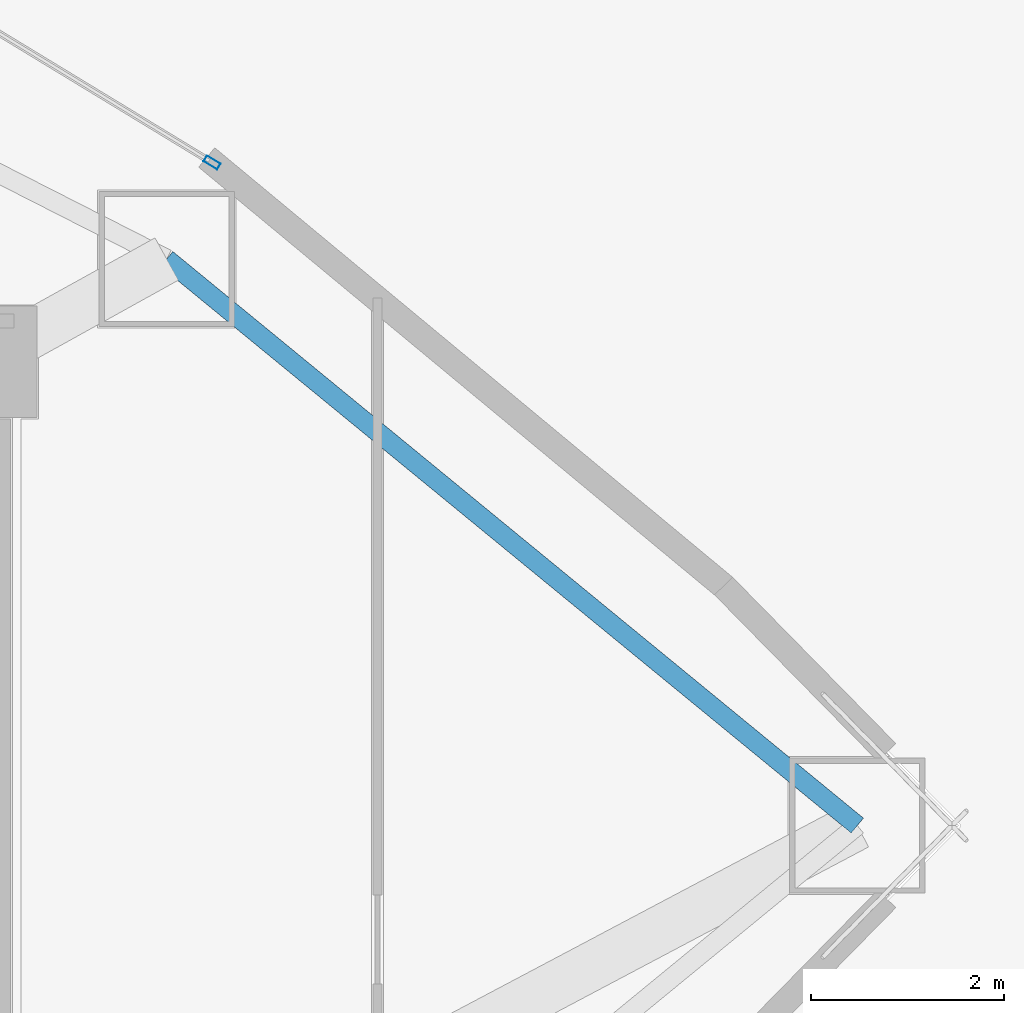
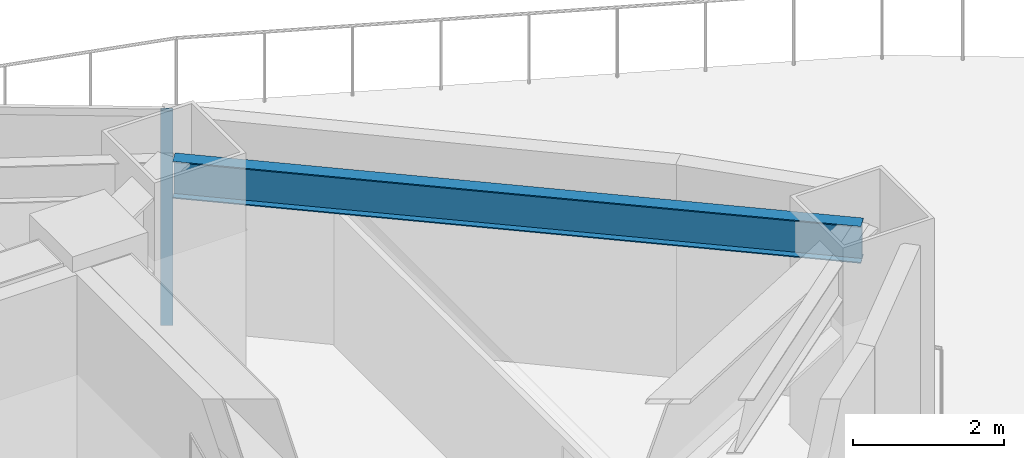
# One storey, part 11 of 19: 1 beam, 1 member, 1 element without a shape of its own.
"""IFC4 building model written with IfcOpenShell, lengths in metres."""

from ifc_helpers import new_model, si_unit, direction, frame, origin, origin_2d, place, context, subcontext, project, spatial, hollow_rectangle, i_section, extrude, material, layer, layer_set, material_profile, profile_set, type_object, element, aggregate, save


model = new_model("IFC4")

# Units and contexts
model_context = context("Model", 3, precision=1e-05, world=origin(), true_north=direction((0.0, 1.0)))
body_context = subcontext(model_context, "Body", "Model", "MODEL_VIEW")
ifc_project = project(units=[si_unit("LENGTHUNIT", "METRE"), si_unit("AREAUNIT", "SQUARE_METRE"), si_unit("VOLUMEUNIT", "CUBIC_METRE"), si_unit("PLANEANGLEUNIT", "RADIAN"), si_unit("MASSUNIT", "GRAM", prefix="KILO")], contexts=[model_context])

# Site, building, storey
site_placement = place(None, origin())
site = spatial("IfcSite", under=ifc_project, at=site_placement, CompositionType="ELEMENT")
building_placement = place(site_placement, origin())
building = spatial("IfcBuilding", under=site, at=building_placement, Name="Menara Vayukalpa", CompositionType="ELEMENT")
storey_placement = place(building_placement, frame((0.0, 0.0, 68.52001953125)))
storey = spatial("IfcBuildingStorey", under=building, at=storey_placement, Name="L16", CompositionType="ELEMENT", Elevation=68.52001953125)

# Beam
ifc_material_1 = material(Name="Steel S355", Category="steel")
ifc_material_profile_1 = material_profile(ifc_material_1, i_section(OverallWidth=0.199951171875, OverallDepth=0.60009765625, WebThickness=0.010986328125, FlangeThickness=0.01708984375, at=origin_2d()), Name="WF 600x200x11x17")
ifc_profile_set_1 = profile_set([ifc_material_profile_1], Name="Steel S355")
beam_type = type_object("IfcBeamType", Name="BM-SP1", PredefinedType="SPANDREL", material=ifc_profile_set_1)
beam_placement = place(storey_placement, frame((42.46484375, 22.0, 3.169921875), z_axis=(-0.773110561587, 0.63427128231, 0.0), x_axis=(-0.63427128231, -0.773110561587, 0.0)))
element("IfcBeam", 1, at=beam_placement, inside=storey, type_object=beam_type, Name="L16 Perimeter Spandrel Beam SP01", PredefinedType="SPANDREL", context=body_context, shape_type="SweptSolid", body=[
    extrude(i_section(OverallWidth=0.199951171875, OverallDepth=0.60009765625, WebThickness=0.010986328125, FlangeThickness=0.01708984375, at=origin_2d()), origin(), (0.0, 0.0, 1.0), 9.244140625),
])

# Curtain wall, member
ifc_material_2 = material(Name="Anodised Terracotta Aluminium Alloy 6063-T6", Category="masonry")
ifc_layer = layer(ifc_material_2, 0.1650390625)
ifc_layer_set = layer_set([ifc_layer], Name="Anodised Terracotta Aluminium Alloy 6063-T6")
curtain_wall_type = type_object("IfcCurtainWallType", Name="CW-CW2", PredefinedType="USERDEFINED", material=ifc_layer_set)
curtain_wall_placement = place(storey_placement, origin())
curtain_wall = element("IfcCurtainWall", 2, at=curtain_wall_placement, inside=storey, type_object=curtain_wall_type, Name="L16 Low Rise Terracotta Ribbon Curtain Wall CW2 04", ObjectType="UNITISED", PredefinedType="USERDEFINED")
ifc_material_3 = material(Name="Anodised Terracotta Aluminium Alloy 6063-T6", Category="masonry")
ifc_material_profile_2 = material_profile(ifc_material_3, hollow_rectangle(XDim=0.070068359375, YDim=0.1650390625, WallThickness=0.00390625, at=origin_2d()), Name="ALU 70x165x4")
ifc_profile_set_2 = profile_set([ifc_material_profile_2], Name="Anodised Terracotta Aluminium Alloy 6063-T6")
member_type = type_object("IfcMemberType", Name="CWM-CW2", PredefinedType="MULLION", material=ifc_profile_set_2)
member_placement = place(storey_placement, frame((35.787353515625, 28.861572265625, 0.0), z_axis=(0.0, 0.0, 1.0), x_axis=(-0.519181964377, -0.854663727945, 0.0)))
member = element("IfcMember", 3, at=member_placement, type_object=member_type, Name="CW2 mullion 1", PredefinedType="MULLION", context=body_context, shape_type="SweptSolid", body=[
    extrude(hollow_rectangle(XDim=0.070068359375, YDim=0.1650390625, WallThickness=0.00390625, at=origin_2d()), origin(), (0.0, 0.0, 1.0), 3.469970703125),
])
aggregate(curtain_wall, [member])

save(model, "model.ifc")
